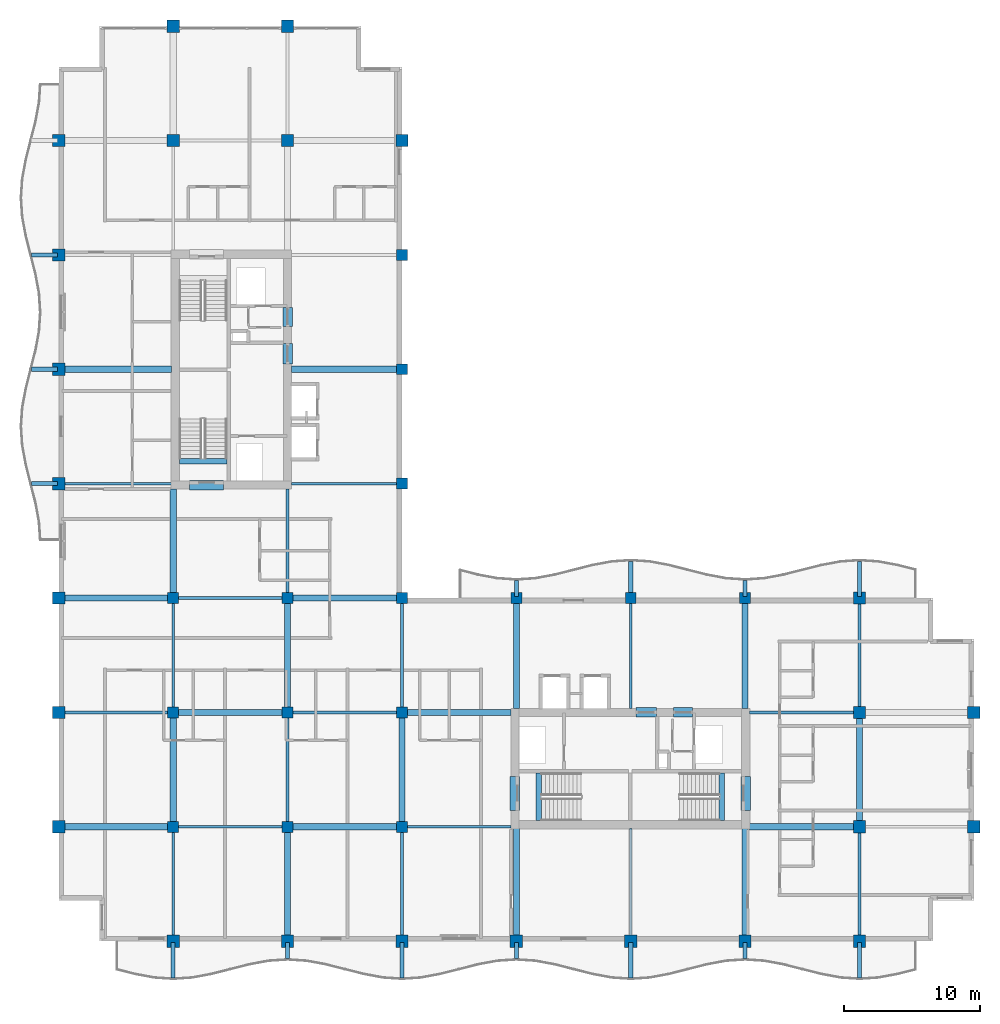
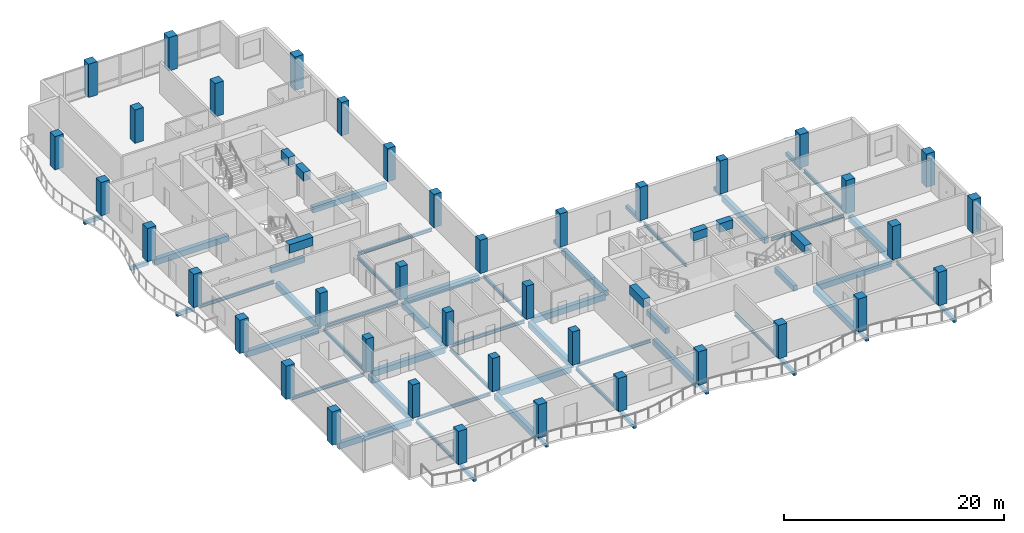
# One storey, part 1 of 17: 61 beams, 39 columns.
"""IFC4 building model written with IfcOpenShell, lengths in metres."""

from ifc_helpers import new_model, si_unit, direction, frame, origin, origin_2d, place, context, subcontext, project, spatial, rectangle, i_section, extrude, material, material_profile, profile_set, type_object, element, save


model = new_model("IFC4")

# Units and contexts
model_context = context("Model", 3, precision=1e-05, world=origin(), true_north=direction((0.0, 1.0)))
body_context = subcontext(model_context, "Body", "Model", "MODEL_VIEW")
ifc_project = project(units=[si_unit("LENGTHUNIT", "METRE"), si_unit("AREAUNIT", "SQUARE_METRE"), si_unit("VOLUMEUNIT", "CUBIC_METRE"), si_unit("PLANEANGLEUNIT", "RADIAN"), si_unit("MASSUNIT", "GRAM", prefix="KILO")], contexts=[model_context])

# Site, building, storey
site_placement = place(None, origin())
site = spatial("IfcSite", under=ifc_project, at=site_placement, CompositionType="ELEMENT")
building_placement = place(site_placement, origin())
building = spatial("IfcBuilding", under=site, at=building_placement, Name="Koriwani Terraces Tower", CompositionType="ELEMENT")
storey_placement = place(building_placement, frame((0.0, 0.0, 237.89990234375)))
storey = spatial("IfcBuildingStorey", under=building, at=storey_placement, Name="L58", CompositionType="ELEMENT", Elevation=237.89990234375)

# Columns
ifc_material_1 = material(Name="Concrete C50/60", Category="concrete")
ifc_material_profile_1 = material_profile(ifc_material_1, rectangle(XDim=0.800048828125, YDim=0.800048828125, at=origin_2d()), Name="Concrete C50/60", Category="LoadBearing")
ifc_profile_set_1 = profile_set([ifc_material_profile_1], Name="Concrete C50/60")
column_type_1 = type_object("IfcColumnType", Name="COL_RC_800X800", PredefinedType="COLUMN", material=ifc_profile_set_1)
for number, where, z_axis, x_axis, name in (
    (1, (16.800048828125, 16.800048828125, 0.0), (0.0, 0.0, 1.0), (1.0, 0.0, 0.0), "L58 Column 3/C"),
    (2, (16.800048828125, 25.199951171875, 0.0), (0.0, 0.0, 1.0), (1.0, 0.0, 0.0), "L58 Column 3/D"),
    (3, (16.800048828125, 33.60009765625, 0.0), (0.0, 0.0, 1.0), (1.0, 0.0, 0.0), "L58 Column 3/E"),
    (4, (25.199951171875, 16.800048828125, 0.0), (0.0, 0.0, 1.0), (1.0, 0.0, 0.0), "L58 Column 4/C"),
    (5, (25.199951171875, 25.199951171875, 0.0), (0.0, 0.0, 1.0), (1.0, 0.0, 0.0), "L58 Column 4/D"),
    (6, (25.199951171875, 33.60009765625, 0.0), (0.0, 0.0, 1.0), (1.0, 0.0, 0.0), "L58 Column 4/E"),
    (7, (33.60009765625, 16.800048828125, 0.0), (0.0, 0.0, 1.0), (1.0, 0.0, 0.0), "L58 Column 5/C"),
    (8, (33.60009765625, 25.199951171875, 0.0), (0.0, 0.0, 1.0), (1.0, 0.0, 0.0), "L58 Column 5/D"),
    (9, (33.60009765625, 33.60009765625, 0.0), (0.0, 0.0, 1.0), (1.0, 0.0, 0.0), "L58 Column 5/E"),
    (10, (33.60009765625, 42.0, 0.0), (0.0, 0.0, 1.0), (1.0, 0.0, 0.0), "L58 Column 5/F"),
    (11, (33.60009765625, 50.39990234375, 0.0), (0.0, 0.0, 1.0), (1.0, 0.0, 0.0), "L58 Column 5/G"),
    (12, (33.60009765625, 58.800048828125, 0.0), (0.0, 0.0, 1.0), (1.0, 0.0, 0.0), "L58 Column 5/H"),
    (13, (42.0, 33.60009765625, 0.0), (0.0, 0.0, 1.0), (1.0, 0.0, 0.0), "L58 Column 6/E"),
    (14, (50.39990234375, 33.60009765625, 0.0), (0.0, 0.0, 1.0), (1.0, 0.0, 0.0), "L58 Column 7/E"),
    (15, (58.800048828125, 33.60009765625, 0.0), (0.0, 0.0, 1.0), (1.0, 0.0, 0.0), "L58 Column 8/E"),
):
    element("IfcColumn", number, at=place(storey_placement, frame(where, z_axis=z_axis, x_axis=x_axis)), inside=storey, type_object=column_type_1, Name=name, PredefinedType="COLUMN", context=body_context, shape_type="SweptSolid", body=[
        extrude(rectangle(XDim=0.800048828125, YDim=0.800048828125, at=origin_2d()), origin(), (0.0, 0.0, 1.0), 3.7001953125),
    ])
ifc_material_profile_2 = material_profile(ifc_material_1, rectangle(XDim=0.89990234375, YDim=0.89990234375, at=origin_2d()), Name="Concrete C50/60", Category="LoadBearing")
ifc_profile_set_2 = profile_set([ifc_material_profile_2], Name="Concrete C50/60")
column_type_2 = type_object("IfcColumnType", Name="COL_RC_900X900", PredefinedType="COLUMN", material=ifc_profile_set_2)
for number, where, z_axis, x_axis, name in (
    (16, (8.39990234375, 16.800048828125, 0.0), (0.0, 0.0, 1.0), (1.0, 0.0, 0.0), "L58 Column 2/C"),
    (17, (8.39990234375, 25.199951171875, 0.0), (0.0, 0.0, 1.0), (1.0, 0.0, 0.0), "L58 Column 2/D"),
    (18, (8.39990234375, 33.60009765625, 0.0), (0.0, 0.0, 1.0), (1.0, 0.0, 0.0), "L58 Column 2/E"),
    (19, (8.39990234375, 42.0, 0.0), (0.0, 0.0, 1.0), (1.0, 0.0, 0.0), "L58 Column 2/F"),
    (20, (8.39990234375, 50.39990234375, 0.0), (0.0, 0.0, 1.0), (1.0, 0.0, 0.0), "L58 Column 2/G"),
    (21, (8.39990234375, 58.800048828125, 0.0), (0.0, 0.0, 1.0), (1.0, 0.0, 0.0), "L58 Column 2/H"),
    (22, (8.39990234375, 67.199951171875, 0.0), (0.0, 0.0, 1.0), (1.0, 0.0, 0.0), "L58 Column 2/I"),
    (23, (16.800048828125, 8.39990234375, 0.0), (0.0, 0.0, 1.0), (1.0, 0.0, 0.0), "L58 Column 3/B"),
    (24, (16.800048828125, 67.199951171875, 0.0), (0.0, 0.0, 1.0), (1.0, 0.0, 0.0), "L58 Column 3/I"),
    (25, (16.800048828125, 75.60009765625, 0.0), (0.0, 0.0, 1.0), (1.0, 0.0, 0.0), "L58 Column 3/J"),
    (26, (25.199951171875, 8.39990234375, 0.0), (0.0, 0.0, 1.0), (1.0, 0.0, 0.0), "L58 Column 4/B"),
    (27, (25.199951171875, 67.199951171875, 0.0), (0.0, 0.0, 1.0), (1.0, 0.0, 0.0), "L58 Column 4/I"),
    (28, (25.199951171875, 75.60009765625, 0.0), (0.0, 0.0, 1.0), (1.0, 0.0, 0.0), "L58 Column 4/J"),
    (29, (33.60009765625, 8.39990234375, 0.0), (0.0, 0.0, 1.0), (1.0, 0.0, 0.0), "L58 Column 5/B"),
    (30, (33.60009765625, 67.199951171875, 0.0), (0.0, 0.0, 1.0), (1.0, 0.0, 0.0), "L58 Column 5/I"),
    (31, (42.0, 8.39990234375, 0.0), (0.0, 0.0, 1.0), (1.0, 0.0, 0.0), "L58 Column 6/B"),
    (32, (50.39990234375, 8.39990234375, 0.0), (0.0, 0.0, 1.0), (1.0, 0.0, 0.0), "L58 Column 7/B"),
    (33, (58.800048828125, 8.39990234375, 0.0), (0.0, 0.0, 1.0), (1.0, 0.0, 0.0), "L58 Column 8/B"),
    (34, (67.199951171875, 8.39990234375, 0.0), (0.0, 0.0, 1.0), (1.0, 0.0, 0.0), "L58 Column 9/B"),
    (35, (67.199951171875, 16.800048828125, 0.0), (0.0, 0.0, 1.0), (1.0, 0.0, 0.0), "L58 Column 9/C"),
    (36, (67.199951171875, 25.199951171875, 0.0), (0.0, 0.0, 1.0), (1.0, 0.0, 0.0), "L58 Column 9/D"),
    (37, (67.199951171875, 33.60009765625, 0.0), (0.0, 0.0, 1.0), (1.0, 0.0, 0.0), "L58 Column 9/E"),
    (38, (75.60009765625, 16.800048828125, 0.0), (0.0, 0.0, 1.0), (1.0, 0.0, 0.0), "L58 Column 10/C"),
    (39, (75.60009765625, 25.199951171875, 0.0), (0.0, 0.0, 1.0), (1.0, 0.0, 0.0), "L58 Column 10/D"),
):
    element("IfcColumn", number, at=place(storey_placement, frame(where, z_axis=z_axis, x_axis=x_axis)), inside=storey, type_object=column_type_2, Name=name, PredefinedType="COLUMN", context=body_context, shape_type="SweptSolid", body=[
        extrude(rectangle(XDim=0.89990234375, YDim=0.89990234375, at=origin_2d()), origin(), (0.0, 0.0, 1.0), 3.7001953125),
    ])

# Beams
ifc_material_2 = material(Name="Concrete C40/50", Category="concrete")
ifc_material_profile_3 = material_profile(ifc_material_2, rectangle(XDim=0.300048828125, YDim=0.39990234375, at=origin_2d()), Name="Concrete C40/50", Category="LoadBearing")
ifc_profile_set_3 = profile_set([ifc_material_profile_3], Name="Concrete C40/50")
beam_type_1 = type_object("IfcBeamType", Name="BEAM_RC_BALCONY_RIB_300X400", PredefinedType="JOIST", material=ifc_profile_set_3)
beam_1_placement = place(storey_placement, frame((16.800048828125, 5.699951171875, -0.429931640625), z_axis=(0.0, 1.0, 0.0), x_axis=(-1.0, 0.0, 0.0)))
element("IfcBeam", 40, at=beam_1_placement, inside=storey, type_object=beam_type_1, Name="L58 Balcony Bracket Rib S-1", PredefinedType="JOIST", context=body_context, shape_type="SweptSolid", body=[
    extrude(rectangle(XDim=0.300048828125, YDim=0.39990234375, at=origin_2d()), origin(), (0.0, 0.0, 1.0), 2.60009765625),
])
beam_2_placement = place(storey_placement, frame((25.199951171875, 7.1201171875, -0.429931640625), z_axis=(0.0, 1.0, 0.0), x_axis=(-1.0, 0.0, 0.0)))
element("IfcBeam", 41, at=beam_2_placement, inside=storey, type_object=beam_type_1, Name="L58 Balcony Bracket Rib S-2", PredefinedType="JOIST", context=body_context, shape_type="SweptSolid", body=[
    extrude(rectangle(XDim=0.300048828125, YDim=0.39990234375, at=origin_2d()), origin(), (0.0, 0.0, 1.0), 1.179931640625),
])
beam_3_placement = place(storey_placement, frame((33.60009765625, 5.699951171875, -0.429931640625), z_axis=(0.0, 1.0, 0.0), x_axis=(-1.0, 0.0, 0.0)))
element("IfcBeam", 42, at=beam_3_placement, inside=storey, type_object=beam_type_1, Name="L58 Balcony Bracket Rib S-3", PredefinedType="JOIST", context=body_context, shape_type="SweptSolid", body=[
    extrude(rectangle(XDim=0.300048828125, YDim=0.39990234375, at=origin_2d()), origin(), (0.0, 0.0, 1.0), 2.60009765625),
])
beam_4_placement = place(storey_placement, frame((42.0, 7.1201171875, -0.429931640625), z_axis=(0.0, 1.0, 0.0), x_axis=(-1.0, 0.0, 0.0)))
element("IfcBeam", 43, at=beam_4_placement, inside=storey, type_object=beam_type_1, Name="L58 Balcony Bracket Rib S-4", PredefinedType="JOIST", context=body_context, shape_type="SweptSolid", body=[
    extrude(rectangle(XDim=0.300048828125, YDim=0.39990234375, at=origin_2d()), origin(), (0.0, 0.0, 1.0), 1.179931640625),
])
beam_5_placement = place(storey_placement, frame((50.39990234375, 5.699951171875, -0.429931640625), z_axis=(0.0, 1.0, 0.0), x_axis=(-1.0, 0.0, 0.0)))
element("IfcBeam", 44, at=beam_5_placement, inside=storey, type_object=beam_type_1, Name="L58 Balcony Bracket Rib S-5", PredefinedType="JOIST", context=body_context, shape_type="SweptSolid", body=[
    extrude(rectangle(XDim=0.300048828125, YDim=0.39990234375, at=origin_2d()), origin(), (0.0, 0.0, 1.0), 2.60009765625),
])
beam_6_placement = place(storey_placement, frame((58.800048828125, 7.1201171875, -0.429931640625), z_axis=(0.0, 1.0, 0.0), x_axis=(-1.0, 0.0, 0.0)))
element("IfcBeam", 45, at=beam_6_placement, inside=storey, type_object=beam_type_1, Name="L58 Balcony Bracket Rib S-6", PredefinedType="JOIST", context=body_context, shape_type="SweptSolid", body=[
    extrude(rectangle(XDim=0.300048828125, YDim=0.39990234375, at=origin_2d()), origin(), (0.0, 0.0, 1.0), 1.179931640625),
])
beam_7_placement = place(storey_placement, frame((67.199951171875, 5.699951171875, -0.429931640625), z_axis=(0.0, 1.0, 0.0), x_axis=(-1.0, 0.0, 0.0)))
element("IfcBeam", 46, at=beam_7_placement, inside=storey, type_object=beam_type_1, Name="L58 Balcony Bracket Rib S-7", PredefinedType="JOIST", context=body_context, shape_type="SweptSolid", body=[
    extrude(rectangle(XDim=0.300048828125, YDim=0.39990234375, at=origin_2d()), origin(), (0.0, 0.0, 1.0), 2.60009765625),
])
for number, where, z_axis, x_axis, name in (
    (47, (6.409912109375, 42.0, -0.429931640625), (1.0, 0.0, 0.0), (0.0, 1.0, 0.0), "L58 Balcony Bracket Rib W-1"),
    (48, (6.409912109375, 50.39990234375, -0.429931640625), (1.0, 0.0, 0.0), (0.0, 1.0, 0.0), "L58 Balcony Bracket Rib W-2"),
    (49, (6.409912109375, 58.800048828125, -0.429931640625), (1.0, 0.0, 0.0), (0.0, 1.0, 0.0), "L58 Balcony Bracket Rib W-3"),
):
    element("IfcBeam", number, at=place(storey_placement, frame(where, z_axis=z_axis, x_axis=x_axis)), inside=storey, type_object=beam_type_1, Name=name, PredefinedType="JOIST", context=body_context, shape_type="SweptSolid", body=[
        extrude(rectangle(XDim=0.300048828125, YDim=0.39990234375, at=origin_2d()), origin(), (0.0, 0.0, 1.0), 1.89013671875),
    ])
beam_8_placement = place(storey_placement, frame((42.0, 33.699951171875, -0.429931640625), z_axis=(0.0, 1.0, 0.0), x_axis=(-1.0, 0.0, 0.0)))
element("IfcBeam", 50, at=beam_8_placement, inside=storey, type_object=beam_type_1, Name="L58 Balcony Bracket Rib NE-1", PredefinedType="JOIST", context=body_context, shape_type="SweptSolid", body=[
    extrude(rectangle(XDim=0.300048828125, YDim=0.39990234375, at=origin_2d()), origin(), (0.0, 0.0, 1.0), 1.179931640625),
])
beam_9_placement = place(storey_placement, frame((50.39990234375, 33.699951171875, -0.429931640625), z_axis=(0.0, 1.0, 0.0), x_axis=(-1.0, 0.0, 0.0)))
element("IfcBeam", 51, at=beam_9_placement, inside=storey, type_object=beam_type_1, Name="L58 Balcony Bracket Rib NE-2", PredefinedType="JOIST", context=body_context, shape_type="SweptSolid", body=[
    extrude(rectangle(XDim=0.300048828125, YDim=0.39990234375, at=origin_2d()), origin(), (0.0, 0.0, 1.0), 2.60009765625),
])
beam_10_placement = place(storey_placement, frame((58.800048828125, 33.699951171875, -0.429931640625), z_axis=(0.0, 1.0, 0.0), x_axis=(-1.0, 0.0, 0.0)))
element("IfcBeam", 52, at=beam_10_placement, inside=storey, type_object=beam_type_1, Name="L58 Balcony Bracket Rib NE-3", PredefinedType="JOIST", context=body_context, shape_type="SweptSolid", body=[
    extrude(rectangle(XDim=0.300048828125, YDim=0.39990234375, at=origin_2d()), origin(), (0.0, 0.0, 1.0), 1.179931640625),
])
beam_11_placement = place(storey_placement, frame((67.199951171875, 33.699951171875, -0.429931640625), z_axis=(0.0, 1.0, 0.0), x_axis=(-1.0, 0.0, 0.0)))
element("IfcBeam", 53, at=beam_11_placement, inside=storey, type_object=beam_type_1, Name="L58 Balcony Bracket Rib NE-4", PredefinedType="JOIST", context=body_context, shape_type="SweptSolid", body=[
    extrude(rectangle(XDim=0.300048828125, YDim=0.39990234375, at=origin_2d()), origin(), (0.0, 0.0, 1.0), 2.60009765625),
])
ifc_material_3 = material(Name="Concrete C60/75", Category="concrete")
ifc_material_profile_4 = material_profile(ifc_material_3, rectangle(XDim=0.699951171875, YDim=0.949951171875, at=origin_2d()), Name="Concrete C60/75", Category="LoadBearing")
ifc_profile_set_4 = profile_set([ifc_material_profile_4], Name="Concrete C60/75")
beam_type_2 = type_object("IfcBeamType", Name="BEAM_RC_COUPLING_700X950", PredefinedType="LINTEL", material=ifc_profile_set_4)
beam_12_placement = place(storey_placement, frame((25.199951171875, 50.800048828125, 2.9951171875), z_axis=(0.0, 1.0, 0.0), x_axis=(-1.0, 0.0, 0.0)))
element("IfcBeam", 54, at=beam_12_placement, inside=storey, type_object=beam_type_2, Name="L58 Core Coupling Lintel Beam WE1", PredefinedType="LINTEL", context=body_context, shape_type="SweptSolid", body=[
    extrude(rectangle(XDim=0.699951171875, YDim=0.949951171875, at=origin_2d()), origin(), (0.0, 0.0, 1.0), 1.47998046875),
])
beam_13_placement = place(storey_placement, frame((25.199951171875, 53.550048828125, 2.9951171875), z_axis=(0.0, 1.0, 0.0), x_axis=(-1.0, 0.0, 0.0)))
element("IfcBeam", 55, at=beam_13_placement, inside=storey, type_object=beam_type_2, Name="L58 Core Coupling Lintel Beam WE2", PredefinedType="LINTEL", context=body_context, shape_type="SweptSolid", body=[
    extrude(rectangle(XDim=0.699951171875, YDim=0.949951171875, at=origin_2d()), origin(), (0.0, 0.0, 1.0), 1.39990234375),
])
beam_14_placement = place(storey_placement, frame((18.0, 41.89990234375, 2.9951171875), z_axis=(1.0, 0.0, 0.0), x_axis=(0.0, 1.0, 0.0)))
element("IfcBeam", 56, at=beam_14_placement, inside=storey, type_object=beam_type_2, Name="L58 Core Coupling Lintel Beam WS", PredefinedType="LINTEL", context=body_context, shape_type="SweptSolid", body=[
    extrude(rectangle(XDim=0.699951171875, YDim=0.949951171875, at=origin_2d()), origin(), (0.0, 0.0, 1.0), 2.5),
])
beam_15_placement = place(storey_placement, frame((50.800048828125, 25.199951171875, 2.9951171875), z_axis=(1.0, 0.0, 0.0), x_axis=(0.0, 1.0, 0.0)))
element("IfcBeam", 57, at=beam_15_placement, inside=storey, type_object=beam_type_2, Name="L58 Core Coupling Lintel Beam EN1", PredefinedType="LINTEL", context=body_context, shape_type="SweptSolid", body=[
    extrude(rectangle(XDim=0.699951171875, YDim=0.949951171875, at=origin_2d()), origin(), (0.0, 0.0, 1.0), 1.47998046875),
])
beam_16_placement = place(storey_placement, frame((53.550048828125, 25.199951171875, 2.9951171875), z_axis=(1.0, 0.0, 0.0), x_axis=(0.0, 1.0, 0.0)))
element("IfcBeam", 58, at=beam_16_placement, inside=storey, type_object=beam_type_2, Name="L58 Core Coupling Lintel Beam EN2", PredefinedType="LINTEL", context=body_context, shape_type="SweptSolid", body=[
    extrude(rectangle(XDim=0.699951171875, YDim=0.949951171875, at=origin_2d()), origin(), (0.0, 0.0, 1.0), 1.39990234375),
])
for number, where, z_axis, x_axis, name in (
    (59, (41.89990234375, 18.0, 2.9951171875), (0.0, 1.0, 0.0), (-1.0, 0.0, 0.0), "L58 Core Coupling Lintel Beam EW"),
    (60, (58.85009765625, 18.0, 2.9951171875), (0.0, 1.0, 0.0), (-1.0, 0.0, 0.0), "L58 Core Coupling Lintel Beam EE"),
):
    element("IfcBeam", number, at=place(storey_placement, frame(where, z_axis=z_axis, x_axis=x_axis)), inside=storey, type_object=beam_type_2, Name=name, PredefinedType="LINTEL", context=body_context, shape_type="SweptSolid", body=[
        extrude(rectangle(XDim=0.699951171875, YDim=0.949951171875, at=origin_2d()), origin(), (0.0, 0.0, 1.0), 2.5),
    ])
ifc_material_profile_5 = material_profile(ifc_material_2, rectangle(XDim=0.39990234375, YDim=0.60009765625, at=origin_2d()), Name="Concrete C40/50", Category="LoadBearing")
ifc_profile_set_5 = profile_set([ifc_material_profile_5], Name="Concrete C40/50")
beam_type_3 = type_object("IfcBeamType", Name="BEAM_RC_GRID_400X600", PredefinedType="BEAM", material=ifc_profile_set_5)
for number, where, z_axis, x_axis, name in (
    (61, (17.25, 43.655029296875, -0.2998046875), (1.0, 0.0, 0.0), (0.0, 1.0, 0.0), "L58 Stairwell Header Trimmer Beam ST-W1"),
    (62, (43.655029296875, 17.25, -0.2998046875), (0.0, 1.0, 0.0), (-1.0, 0.0, 0.0), "L58 Stairwell Header Trimmer Beam ST-E1"),
    (63, (57.094970703125, 17.25, -0.2998046875), (0.0, 1.0, 0.0), (-1.0, 0.0, 0.0), "L58 Stairwell Header Trimmer Beam ST-E2"),
):
    element("IfcBeam", number, at=place(storey_placement, frame(where, z_axis=z_axis, x_axis=x_axis)), inside=storey, type_object=beam_type_3, Name=name, PredefinedType="BEAM", context=body_context, shape_type="SweptSolid", body=[
        extrude(rectangle(XDim=0.39990234375, YDim=0.60009765625, at=origin_2d()), origin(), (0.0, 0.0, 1.0), 3.5),
    ])
ifc_material_profile_6 = material_profile(ifc_material_1, rectangle(XDim=0.449951171875, YDim=0.64990234375, at=origin_2d()), Name="Concrete C50/60", Category="LoadBearing")
ifc_profile_set_6 = profile_set([ifc_material_profile_6], Name="Concrete C50/60")
beam_type_4 = type_object("IfcBeamType", Name="BEAM_RC_GRID_450X650", PredefinedType="BEAM", material=ifc_profile_set_6)
beam_17_placement = place(storey_placement, frame((8.830078125, 16.800048828125, -0.554931640625), z_axis=(1.0, 0.0, 0.0), x_axis=(0.0, 1.0, 0.0)))
element("IfcBeam", 64, at=beam_17_placement, inside=storey, type_object=beam_type_4, Name="L58 Grid Beam C (8.4-16.8m)", PredefinedType="BEAM", context=body_context, shape_type="SweptSolid", body=[
    extrude(rectangle(XDim=0.449951171875, YDim=0.64990234375, at=origin_2d()), origin(), (0.0, 0.0, 1.0), 7.58984375),
])
beam_18_placement = place(storey_placement, frame((25.580078125, 16.800048828125, -0.554931640625), z_axis=(1.0, 0.0, 0.0), x_axis=(0.0, 1.0, 0.0)))
element("IfcBeam", 65, at=beam_18_placement, inside=storey, type_object=beam_type_4, Name="L58 Grid Beam C (25.2-33.6m)", PredefinedType="BEAM", context=body_context, shape_type="SweptSolid", body=[
    extrude(rectangle(XDim=0.449951171875, YDim=0.64990234375, at=origin_2d()), origin(), (0.0, 0.0, 1.0), 7.639892578125),
])
for number, where, z_axis, x_axis, name in (
    (66, (59.1298828125, 16.800048828125, -0.554931640625), (1.0, 0.0, 0.0), (0.0, 1.0, 0.0), "L58 Grid Beam C (58.8-67.2m)"),
    (67, (17.179931640625, 25.199951171875, -0.554931640625), (1.0, 0.0, 0.0), (0.0, 1.0, 0.0), "L58 Grid Beam D (16.8-25.2m)"),
    (68, (33.97998046875, 25.199951171875, -0.554931640625), (1.0, 0.0, 0.0), (0.0, 1.0, 0.0), "L58 Grid Beam D (33.6-42.0m)"),
):
    element("IfcBeam", number, at=place(storey_placement, frame(where, z_axis=z_axis, x_axis=x_axis)), inside=storey, type_object=beam_type_4, Name=name, PredefinedType="BEAM", context=body_context, shape_type="SweptSolid", body=[
        extrude(rectangle(XDim=0.449951171875, YDim=0.64990234375, at=origin_2d()), origin(), (0.0, 0.0, 1.0), 7.64013671875),
    ])
beam_19_placement = place(storey_placement, frame((8.830078125, 33.60009765625, -0.554931640625), z_axis=(1.0, 0.0, 0.0), x_axis=(0.0, 1.0, 0.0)))
element("IfcBeam", 69, at=beam_19_placement, inside=storey, type_object=beam_type_4, Name="L58 Grid Beam E (8.4-16.8m)", PredefinedType="BEAM", context=body_context, shape_type="SweptSolid", body=[
    extrude(rectangle(XDim=0.449951171875, YDim=0.64990234375, at=origin_2d()), origin(), (0.0, 0.0, 1.0), 7.58984375),
])
beam_20_placement = place(storey_placement, frame((25.580078125, 33.60009765625, -0.554931640625), z_axis=(1.0, 0.0, 0.0), x_axis=(0.0, 1.0, 0.0)))
element("IfcBeam", 70, at=beam_20_placement, inside=storey, type_object=beam_type_4, Name="L58 Grid Beam E (25.2-33.6m)", PredefinedType="BEAM", context=body_context, shape_type="SweptSolid", body=[
    extrude(rectangle(XDim=0.449951171875, YDim=0.64990234375, at=origin_2d()), origin(), (0.0, 0.0, 1.0), 7.639892578125),
])
beam_21_placement = place(storey_placement, frame((8.830078125, 50.39990234375, -0.554931640625), z_axis=(1.0, 0.0, 0.0), x_axis=(0.0, 1.0, 0.0)))
element("IfcBeam", 71, at=beam_21_placement, inside=storey, type_object=beam_type_4, Name="L58 Grid Beam G (8.4-16.8m)", PredefinedType="BEAM", context=body_context, shape_type="SweptSolid", body=[
    extrude(rectangle(XDim=0.449951171875, YDim=0.64990234375, at=origin_2d()), origin(), (0.0, 0.0, 1.0), 7.83984375),
])
beam_22_placement = place(storey_placement, frame((25.47998046875, 50.39990234375, -0.554931640625), z_axis=(1.0, 0.0, 0.0), x_axis=(0.0, 1.0, 0.0)))
element("IfcBeam", 72, at=beam_22_placement, inside=storey, type_object=beam_type_4, Name="L58 Grid Beam G (25.2-33.6m)", PredefinedType="BEAM", context=body_context, shape_type="SweptSolid", body=[
    extrude(rectangle(XDim=0.449951171875, YDim=0.64990234375, at=origin_2d()), origin(), (0.0, 0.0, 1.0), 7.739990234375),
])
for number, where, z_axis, x_axis, name in (
    (73, (16.800048828125, 17.179931640625, -0.554931640625), (0.0, 1.0, 0.0), (-1.0, 0.0, 0.0), "L58 Grid Beam 3 (16.8-25.2m)"),
    (74, (16.800048828125, 33.97998046875, -0.554931640625), (0.0, 1.0, 0.0), (-1.0, 0.0, 0.0), "L58 Grid Beam 3 (33.6-42.0m)"),
):
    element("IfcBeam", number, at=place(storey_placement, frame(where, z_axis=z_axis, x_axis=x_axis)), inside=storey, type_object=beam_type_4, Name=name, PredefinedType="BEAM", context=body_context, shape_type="SweptSolid", body=[
        extrude(rectangle(XDim=0.449951171875, YDim=0.64990234375, at=origin_2d()), origin(), (0.0, 0.0, 1.0), 7.64013671875),
    ])
beam_23_placement = place(storey_placement, frame((25.199951171875, 8.830078125, -0.554931640625), z_axis=(0.0, 1.0, 0.0), x_axis=(-1.0, 0.0, 0.0)))
element("IfcBeam", 75, at=beam_23_placement, inside=storey, type_object=beam_type_4, Name="L58 Grid Beam 4 (8.4-16.8m)", PredefinedType="BEAM", context=body_context, shape_type="SweptSolid", body=[
    extrude(rectangle(XDim=0.449951171875, YDim=0.64990234375, at=origin_2d()), origin(), (0.0, 0.0, 1.0), 7.58984375),
])
beam_24_placement = place(storey_placement, frame((25.199951171875, 25.580078125, -0.554931640625), z_axis=(0.0, 1.0, 0.0), x_axis=(-1.0, 0.0, 0.0)))
element("IfcBeam", 76, at=beam_24_placement, inside=storey, type_object=beam_type_4, Name="L58 Grid Beam 4 (25.2-33.6m)", PredefinedType="BEAM", context=body_context, shape_type="SweptSolid", body=[
    extrude(rectangle(XDim=0.449951171875, YDim=0.64990234375, at=origin_2d()), origin(), (0.0, 0.0, 1.0), 7.639892578125),
])
beam_25_placement = place(storey_placement, frame((33.60009765625, 17.179931640625, -0.554931640625), z_axis=(0.0, 1.0, 0.0), x_axis=(-1.0, 0.0, 0.0)))
element("IfcBeam", 77, at=beam_25_placement, inside=storey, type_object=beam_type_4, Name="L58 Grid Beam 5 (16.8-25.2m)", PredefinedType="BEAM", context=body_context, shape_type="SweptSolid", body=[
    extrude(rectangle(XDim=0.449951171875, YDim=0.64990234375, at=origin_2d()), origin(), (0.0, 0.0, 1.0), 7.64013671875),
])
beam_26_placement = place(storey_placement, frame((42.0, 8.830078125, -0.554931640625), z_axis=(0.0, 1.0, 0.0), x_axis=(-1.0, 0.0, 0.0)))
element("IfcBeam", 78, at=beam_26_placement, inside=storey, type_object=beam_type_4, Name="L58 Grid Beam 6 (8.4-16.8m)", PredefinedType="BEAM", context=body_context, shape_type="SweptSolid", body=[
    extrude(rectangle(XDim=0.449951171875, YDim=0.64990234375, at=origin_2d()), origin(), (0.0, 0.0, 1.0), 7.83984375),
])
beam_27_placement = place(storey_placement, frame((42.0, 25.47998046875, -0.554931640625), z_axis=(0.0, 1.0, 0.0), x_axis=(-1.0, 0.0, 0.0)))
element("IfcBeam", 79, at=beam_27_placement, inside=storey, type_object=beam_type_4, Name="L58 Grid Beam 6 (25.2-33.6m)", PredefinedType="BEAM", context=body_context, shape_type="SweptSolid", body=[
    extrude(rectangle(XDim=0.449951171875, YDim=0.64990234375, at=origin_2d()), origin(), (0.0, 0.0, 1.0), 7.739990234375),
])
beam_28_placement = place(storey_placement, frame((58.800048828125, 8.830078125, -0.554931640625), z_axis=(0.0, 1.0, 0.0), x_axis=(-1.0, 0.0, 0.0)))
element("IfcBeam", 80, at=beam_28_placement, inside=storey, type_object=beam_type_4, Name="L58 Grid Beam 8 (8.4-16.8m)", PredefinedType="BEAM", context=body_context, shape_type="SweptSolid", body=[
    extrude(rectangle(XDim=0.449951171875, YDim=0.64990234375, at=origin_2d()), origin(), (0.0, 0.0, 1.0), 7.83984375),
])
beam_29_placement = place(storey_placement, frame((58.800048828125, 25.47998046875, -0.554931640625), z_axis=(0.0, 1.0, 0.0), x_axis=(-1.0, 0.0, 0.0)))
element("IfcBeam", 81, at=beam_29_placement, inside=storey, type_object=beam_type_4, Name="L58 Grid Beam 8 (25.2-33.6m)", PredefinedType="BEAM", context=body_context, shape_type="SweptSolid", body=[
    extrude(rectangle(XDim=0.449951171875, YDim=0.64990234375, at=origin_2d()), origin(), (0.0, 0.0, 1.0), 7.739990234375),
])
beam_30_placement = place(storey_placement, frame((67.199951171875, 17.22998046875, -0.554931640625), z_axis=(0.0, 1.0, 0.0), x_axis=(-1.0, 0.0, 0.0)))
element("IfcBeam", 82, at=beam_30_placement, inside=storey, type_object=beam_type_4, Name="L58 Grid Beam 9 (16.8-25.2m)", PredefinedType="BEAM", context=body_context, shape_type="SweptSolid", body=[
    extrude(rectangle(XDim=0.449951171875, YDim=0.64990234375, at=origin_2d()), origin(), (0.0, 0.0, 1.0), 7.5400390625),
])
ifc_material_4 = material(Name="Steel ASTM A572 Grade 50", Category="steel")
ifc_material_profile_7 = material_profile(ifc_material_4, i_section(OverallWidth=0.205078125, OverallDepth=0.35400390625, WebThickness=0.009521484375, FlangeThickness=0.016845703125, at=origin_2d()), Name="Steel ASTM A572 Grade 50", Category="LoadBearing")
ifc_profile_set_7 = profile_set([ifc_material_profile_7], Name="Steel ASTM A572 Grade 50")
beam_type_5 = type_object("IfcBeamType", Name="STEEL_BEAM_W360X79", PredefinedType="JOIST", material=ifc_profile_set_7)
for number, where, z_axis, x_axis, name in (
    (83, (17.179931640625, 16.800048828125, -0.406982421875), (1.0, 0.0, 0.0), (0.0, 1.0, 0.0), "L58 Grid Beam C (16.8-25.2m)"),
    (84, (33.97998046875, 16.800048828125, -0.406982421875), (1.0, 0.0, 0.0), (0.0, 1.0, 0.0), "L58 Grid Beam C (33.6-42.0m)"),
):
    element("IfcBeam", number, at=place(storey_placement, frame(where, z_axis=z_axis, x_axis=x_axis)), inside=storey, type_object=beam_type_5, Name=name, PredefinedType="JOIST", context=body_context, shape_type="SweptSolid", body=[
        extrude(i_section(OverallWidth=0.205078125, OverallDepth=0.35400390625, WebThickness=0.009521484375, FlangeThickness=0.016845703125, at=origin_2d()), origin(), (0.0, 0.0, 1.0), 7.64013671875),
    ])
beam_31_placement = place(storey_placement, frame((8.830078125, 25.199951171875, -0.406982421875), z_axis=(1.0, 0.0, 0.0), x_axis=(0.0, 1.0, 0.0)))
element("IfcBeam", 85, at=beam_31_placement, inside=storey, type_object=beam_type_5, Name="L58 Grid Beam D (8.4-16.8m)", PredefinedType="JOIST", context=body_context, shape_type="SweptSolid", body=[
    extrude(i_section(OverallWidth=0.205078125, OverallDepth=0.35400390625, WebThickness=0.009521484375, FlangeThickness=0.016845703125, at=origin_2d()), origin(), (0.0, 0.0, 1.0), 7.58984375),
])
beam_32_placement = place(storey_placement, frame((25.580078125, 25.199951171875, -0.406982421875), z_axis=(1.0, 0.0, 0.0), x_axis=(0.0, 1.0, 0.0)))
element("IfcBeam", 86, at=beam_32_placement, inside=storey, type_object=beam_type_5, Name="L58 Grid Beam D (25.2-33.6m)", PredefinedType="JOIST", context=body_context, shape_type="SweptSolid", body=[
    extrude(i_section(OverallWidth=0.205078125, OverallDepth=0.35400390625, WebThickness=0.009521484375, FlangeThickness=0.016845703125, at=origin_2d()), origin(), (0.0, 0.0, 1.0), 7.639892578125),
])
for number, where, z_axis, x_axis, name in (
    (87, (59.1298828125, 25.199951171875, -0.406982421875), (1.0, 0.0, 0.0), (0.0, 1.0, 0.0), "L58 Grid Beam D (58.8-67.2m)"),
    (88, (17.179931640625, 33.60009765625, -0.406982421875), (1.0, 0.0, 0.0), (0.0, 1.0, 0.0), "L58 Grid Beam E (16.8-25.2m)"),
):
    element("IfcBeam", number, at=place(storey_placement, frame(where, z_axis=z_axis, x_axis=x_axis)), inside=storey, type_object=beam_type_5, Name=name, PredefinedType="JOIST", context=body_context, shape_type="SweptSolid", body=[
        extrude(i_section(OverallWidth=0.205078125, OverallDepth=0.35400390625, WebThickness=0.009521484375, FlangeThickness=0.016845703125, at=origin_2d()), origin(), (0.0, 0.0, 1.0), 7.64013671875),
    ])
beam_33_placement = place(storey_placement, frame((8.830078125, 42.0, -0.406982421875), z_axis=(1.0, 0.0, 0.0), x_axis=(0.0, 1.0, 0.0)))
element("IfcBeam", 89, at=beam_33_placement, inside=storey, type_object=beam_type_5, Name="L58 Grid Beam F (8.4-16.8m)", PredefinedType="JOIST", context=body_context, shape_type="SweptSolid", body=[
    extrude(i_section(OverallWidth=0.205078125, OverallDepth=0.35400390625, WebThickness=0.009521484375, FlangeThickness=0.016845703125, at=origin_2d()), origin(), (0.0, 0.0, 1.0), 7.83984375),
])
beam_34_placement = place(storey_placement, frame((25.47998046875, 42.0, -0.406982421875), z_axis=(1.0, 0.0, 0.0), x_axis=(0.0, 1.0, 0.0)))
element("IfcBeam", 90, at=beam_34_placement, inside=storey, type_object=beam_type_5, Name="L58 Grid Beam F (25.2-33.6m)", PredefinedType="JOIST", context=body_context, shape_type="SweptSolid", body=[
    extrude(i_section(OverallWidth=0.205078125, OverallDepth=0.35400390625, WebThickness=0.009521484375, FlangeThickness=0.016845703125, at=origin_2d()), origin(), (0.0, 0.0, 1.0), 7.739990234375),
])
beam_35_placement = place(storey_placement, frame((16.800048828125, 8.830078125, -0.406982421875), z_axis=(0.0, 1.0, 0.0), x_axis=(-1.0, 0.0, 0.0)))
element("IfcBeam", 91, at=beam_35_placement, inside=storey, type_object=beam_type_5, Name="L58 Grid Beam 3 (8.4-16.8m)", PredefinedType="JOIST", context=body_context, shape_type="SweptSolid", body=[
    extrude(i_section(OverallWidth=0.205078125, OverallDepth=0.35400390625, WebThickness=0.009521484375, FlangeThickness=0.016845703125, at=origin_2d()), origin(), (0.0, 0.0, 1.0), 7.58984375),
])
beam_36_placement = place(storey_placement, frame((16.800048828125, 25.580078125, -0.406982421875), z_axis=(0.0, 1.0, 0.0), x_axis=(-1.0, 0.0, 0.0)))
element("IfcBeam", 92, at=beam_36_placement, inside=storey, type_object=beam_type_5, Name="L58 Grid Beam 3 (25.2-33.6m)", PredefinedType="JOIST", context=body_context, shape_type="SweptSolid", body=[
    extrude(i_section(OverallWidth=0.205078125, OverallDepth=0.35400390625, WebThickness=0.009521484375, FlangeThickness=0.016845703125, at=origin_2d()), origin(), (0.0, 0.0, 1.0), 7.639892578125),
])
for number, where, z_axis, x_axis, name in (
    (93, (25.199951171875, 17.179931640625, -0.406982421875), (0.0, 1.0, 0.0), (-1.0, 0.0, 0.0), "L58 Grid Beam 4 (16.8-25.2m)"),
    (94, (25.199951171875, 33.97998046875, -0.406982421875), (0.0, 1.0, 0.0), (-1.0, 0.0, 0.0), "L58 Grid Beam 4 (33.6-42.0m)"),
):
    element("IfcBeam", number, at=place(storey_placement, frame(where, z_axis=z_axis, x_axis=x_axis)), inside=storey, type_object=beam_type_5, Name=name, PredefinedType="JOIST", context=body_context, shape_type="SweptSolid", body=[
        extrude(i_section(OverallWidth=0.205078125, OverallDepth=0.35400390625, WebThickness=0.009521484375, FlangeThickness=0.016845703125, at=origin_2d()), origin(), (0.0, 0.0, 1.0), 7.64013671875),
    ])
beam_37_placement = place(storey_placement, frame((33.60009765625, 8.830078125, -0.406982421875), z_axis=(0.0, 1.0, 0.0), x_axis=(-1.0, 0.0, 0.0)))
element("IfcBeam", 95, at=beam_37_placement, inside=storey, type_object=beam_type_5, Name="L58 Grid Beam 5 (8.4-16.8m)", PredefinedType="JOIST", context=body_context, shape_type="SweptSolid", body=[
    extrude(i_section(OverallWidth=0.205078125, OverallDepth=0.35400390625, WebThickness=0.009521484375, FlangeThickness=0.016845703125, at=origin_2d()), origin(), (0.0, 0.0, 1.0), 7.58984375),
])
beam_38_placement = place(storey_placement, frame((33.60009765625, 25.580078125, -0.406982421875), z_axis=(0.0, 1.0, 0.0), x_axis=(-1.0, 0.0, 0.0)))
element("IfcBeam", 96, at=beam_38_placement, inside=storey, type_object=beam_type_5, Name="L58 Grid Beam 5 (25.2-33.6m)", PredefinedType="JOIST", context=body_context, shape_type="SweptSolid", body=[
    extrude(i_section(OverallWidth=0.205078125, OverallDepth=0.35400390625, WebThickness=0.009521484375, FlangeThickness=0.016845703125, at=origin_2d()), origin(), (0.0, 0.0, 1.0), 7.639892578125),
])
beam_39_placement = place(storey_placement, frame((50.39990234375, 8.830078125, -0.406982421875), z_axis=(0.0, 1.0, 0.0), x_axis=(-1.0, 0.0, 0.0)))
element("IfcBeam", 97, at=beam_39_placement, inside=storey, type_object=beam_type_5, Name="L58 Grid Beam 7 (8.4-16.8m)", PredefinedType="JOIST", context=body_context, shape_type="SweptSolid", body=[
    extrude(i_section(OverallWidth=0.205078125, OverallDepth=0.35400390625, WebThickness=0.009521484375, FlangeThickness=0.016845703125, at=origin_2d()), origin(), (0.0, 0.0, 1.0), 7.83984375),
])
beam_40_placement = place(storey_placement, frame((50.39990234375, 25.47998046875, -0.406982421875), z_axis=(0.0, 1.0, 0.0), x_axis=(-1.0, 0.0, 0.0)))
element("IfcBeam", 98, at=beam_40_placement, inside=storey, type_object=beam_type_5, Name="L58 Grid Beam 7 (25.2-33.6m)", PredefinedType="JOIST", context=body_context, shape_type="SweptSolid", body=[
    extrude(i_section(OverallWidth=0.205078125, OverallDepth=0.35400390625, WebThickness=0.009521484375, FlangeThickness=0.016845703125, at=origin_2d()), origin(), (0.0, 0.0, 1.0), 7.739990234375),
])
for number, where, z_axis, x_axis, name in (
    (99, (67.199951171875, 8.830078125, -0.406982421875), (0.0, 1.0, 0.0), (-1.0, 0.0, 0.0), "L58 Grid Beam 9 (8.4-16.8m)"),
    (100, (67.199951171875, 25.6298828125, -0.406982421875), (0.0, 1.0, 0.0), (-1.0, 0.0, 0.0), "L58 Grid Beam 9 (25.2-33.6m)"),
):
    element("IfcBeam", number, at=place(storey_placement, frame(where, z_axis=z_axis, x_axis=x_axis)), inside=storey, type_object=beam_type_5, Name=name, PredefinedType="JOIST", context=body_context, shape_type="SweptSolid", body=[
        extrude(i_section(OverallWidth=0.205078125, OverallDepth=0.35400390625, WebThickness=0.009521484375, FlangeThickness=0.016845703125, at=origin_2d()), origin(), (0.0, 0.0, 1.0), 7.5400390625),
    ])

save(model, "model.ifc")
